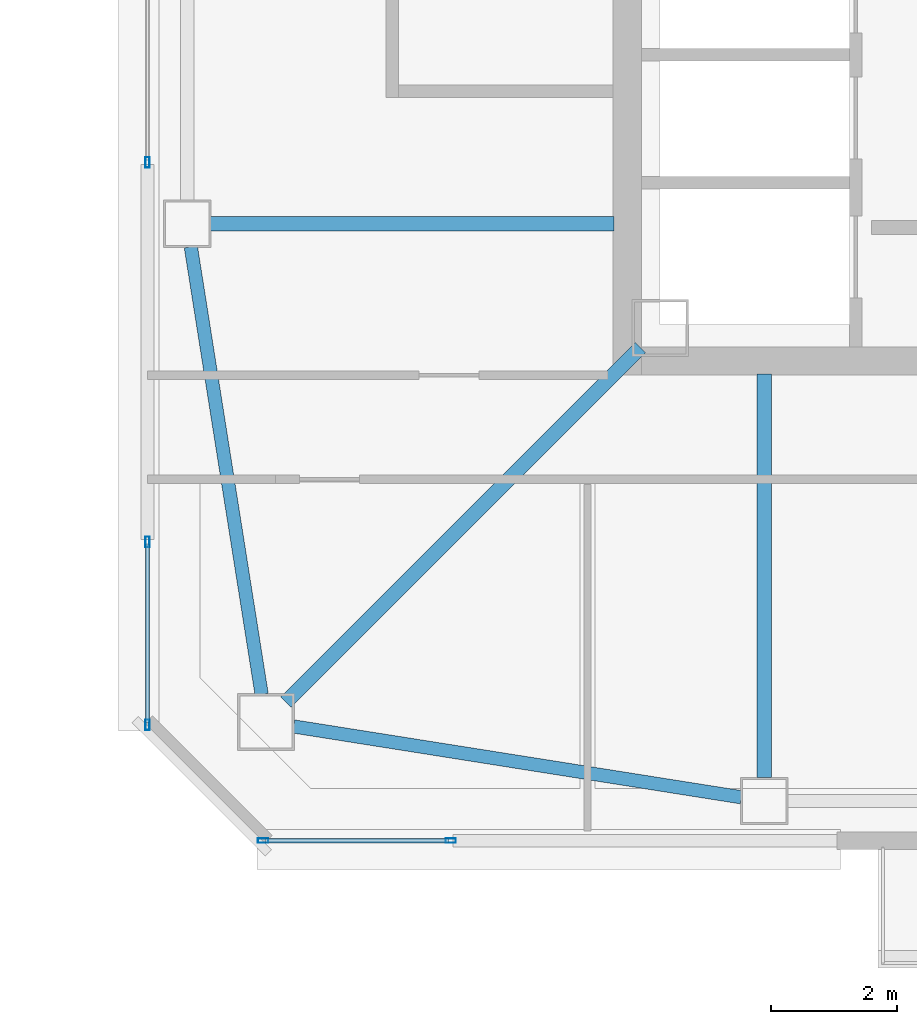
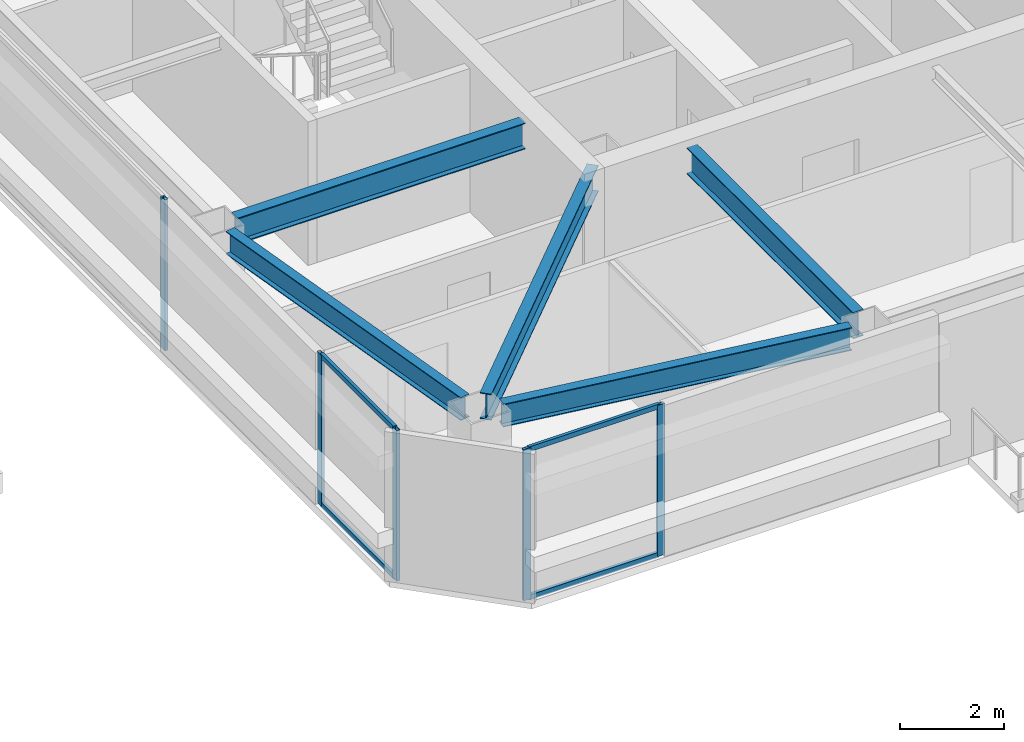
# One storey, part 2 of 31: 9 members, 5 beams, 3 elements without a shape of their own.
"""IFC4 building model written with IfcOpenShell, lengths in metres."""

from ifc_helpers import new_model, si_unit, direction, frame, origin, origin_2d, place, context, subcontext, project, spatial, hollow_rectangle, i_section, extrude, material, material_profile, profile_set, type_object, element, aggregate, save


model = new_model("IFC4")

# Units and contexts
model_context = context("Model", 3, precision=1e-05, world=origin(), true_north=direction((0.0, 1.0)))
body_context = subcontext(model_context, "Body", "Model", "MODEL_VIEW")
ifc_project = project(units=[si_unit("LENGTHUNIT", "METRE"), si_unit("AREAUNIT", "SQUARE_METRE"), si_unit("VOLUMEUNIT", "CUBIC_METRE"), si_unit("PLANEANGLEUNIT", "RADIAN"), si_unit("MASSUNIT", "GRAM", prefix="KILO")], contexts=[model_context])

# Site, building, storey
site_placement = place(None, origin())
site = spatial("IfcSite", under=ifc_project, at=site_placement, CompositionType="ELEMENT")
building_placement = place(site_placement, origin())
building = spatial("IfcBuilding", under=site, at=building_placement, Name="Tashvorn Skyway Center", CompositionType="ELEMENT")
storey_placement = place(building_placement, frame((0.0, 0.0, 266.949951171875)))
storey = spatial("IfcBuildingStorey", under=building, at=storey_placement, Name="L72", CompositionType="ELEMENT", Elevation=266.949951171875)

# Beams
ifc_material_1 = material(Name="Steel ASTM A992 Grade 50", Category="steel")
ifc_material_profile_1 = material_profile(ifc_material_1, i_section(OverallWidth=0.22998046875, OverallDepth=0.616943359375, WebThickness=0.01318359375, FlangeThickness=0.022216796875, at=origin_2d()), Name="W24X94")
ifc_profile_set_1 = profile_set([ifc_material_profile_1], Name="Steel ASTM A992 Grade 50")
beam_type_1 = type_object("IfcBeamType", Name="BM-BEAM-W24X94", PredefinedType="BEAM", material=ifc_profile_set_1)
beam_placement = place(storey_placement, frame((29.0146484375, 19.0146484375, 3.0615234375), z_axis=(0.707106781187, 0.707106781187, 0.0), x_axis=(-0.707106781187, 0.707106781187, 0.0)))
element("IfcBeam", 1, at=beam_placement, inside=storey, type_object=beam_type_1, Name="Tower 1 L72 Primary Floor Girder MC-SW", PredefinedType="BEAM", context=body_context, shape_type="SweptSolid", body=[
    extrude(i_section(OverallWidth=0.22998046875, OverallDepth=0.616943359375, WebThickness=0.01318359375, FlangeThickness=0.022216796875, at=origin_2d()), origin(), (0.0, 0.0, 1.0), 7.94873046875),
])
for number, where, z_axis, x_axis, name in (
    (2, (36.60009765625, 17.820068359375, 3.0615234375), (0.0, 1.0, 0.0), (-1.0, 0.0, 0.0), "Tower 1 L72 Primary Floor Girder FC-S1"),
    (3, (27.820068359375, 26.60009765625, 3.0615234375), (1.0, 0.0, 0.0), (0.0, 1.0, 0.0), "Tower 1 L72 Primary Floor Girder FC-W2"),
):
    element("IfcBeam", number, at=place(storey_placement, frame(where, z_axis=z_axis, x_axis=x_axis)), inside=storey, type_object=beam_type_1, Name=name, PredefinedType="BEAM", context=body_context, shape_type="SweptSolid", body=[
        extrude(i_section(OverallWidth=0.22998046875, OverallDepth=0.616943359375, WebThickness=0.01318359375, FlangeThickness=0.022216796875, at=origin_2d()), origin(), (0.0, 0.0, 1.0), 6.39990234375),
    ])
ifc_material_profile_2 = material_profile(ifc_material_1, i_section(OverallWidth=0.2109375, OverallDepth=0.5390625, WebThickness=0.01171875, FlangeThickness=0.018798828125, at=origin_2d()), Name="W21X73")
ifc_profile_set_2 = profile_set([ifc_material_profile_2], Name="Steel ASTM A992 Grade 50")
beam_type_2 = type_object("IfcBeamType", Name="BM-SPANDREL-W21X73", PredefinedType="SPANDREL", material=ifc_profile_set_2)
for number, where, z_axis, x_axis, name in (
    (4, (29.1396484375, 18.63037109375, 3.1005859375), (0.987713587978, -0.156274976, 0.0), (0.156274976, 0.987713587978, 0.0), "Tower 1 L72 Spandrel Beam 01"),
    (5, (27.5078125, 26.234619140625, 3.1005859375), (0.156274976, -0.987713587978, 0.0), (0.987713587978, 0.156274976, 0.0), "Tower 1 L72 Spandrel Beam 12"),
):
    element("IfcBeam", number, at=place(storey_placement, frame(where, z_axis=z_axis, x_axis=x_axis)), inside=storey, type_object=beam_type_2, Name=name, PredefinedType="SPANDREL", context=body_context, shape_type="SweptSolid", body=[
        extrude(i_section(OverallWidth=0.2109375, OverallDepth=0.5390625, WebThickness=0.01171875, FlangeThickness=0.018798828125, at=origin_2d()), origin(), (0.0, 0.0, 1.0), 7.18310546875),
    ])

# Curtain wall, members
ifc_material_2 = material(Name="Thermally broken bronze-anodized aluminium 6063-T6", Category="aluminium")
curtain_wall_type = type_object("IfcCurtainWallType", Name="CW-CW-Z5", PredefinedType="NOTDEFINED", material=ifc_material_2)
curtain_wall_1_placement = place(storey_placement, origin())
curtain_wall_1 = element("IfcCurtainWall", 6, at=curtain_wall_1_placement, inside=storey, type_object=curtain_wall_type, Name="Tower 1 L72 South Curtain Wall R Glazing Group 1", PredefinedType="NOTDEFINED")
ifc_material_profile_3 = material_profile(ifc_material_2, hollow_rectangle(XDim=0.070068359375, YDim=0.1650390625, WallThickness=0.00390625, at=origin_2d()), Name="ALU-MULL-70x165")
ifc_profile_set_3 = profile_set([ifc_material_profile_3], Name="Thermally broken bronze-anodized aluminium 6063-T6")
member_type_1 = type_object("IfcMemberType", Name="CWM-CW-Z5", PredefinedType="MULLION", material=ifc_profile_set_3)
member_1_placement = place(storey_placement, frame((31.62841796875, 16.820068359375, 0.0), z_axis=(0.0, 0.0, 1.0), x_axis=(0.0, -1.0, 0.0)))
member_1 = element("IfcMember", 7, at=member_1_placement, type_object=member_type_1, Name="CW-Z5 mullion 1", PredefinedType="MULLION", context=body_context, shape_type="SweptSolid", body=[
    extrude(hollow_rectangle(XDim=0.070068359375, YDim=0.1650390625, WallThickness=0.00390625, at=origin_2d()), origin(), (0.0, 0.0, 1.0), 3.550048828125),
])
member_2_placement = place(storey_placement, frame((28.655029296875, 16.820068359375, 0.0), z_axis=(0.0, 0.0, 1.0), x_axis=(0.0, -1.0, 0.0)))
member_2 = element("IfcMember", 8, at=member_2_placement, type_object=member_type_1, Name="CW-Z5 mullion 2", PredefinedType="MULLION", context=body_context, shape_type="SweptSolid", body=[
    extrude(hollow_rectangle(XDim=0.070068359375, YDim=0.1650390625, WallThickness=0.00390625, at=origin_2d()), origin(), (0.0, 0.0, 1.0), 3.550048828125),
])

curtain_wall_2_placement = place(storey_placement, origin())
curtain_wall_2 = element("IfcCurtainWall", 9, at=curtain_wall_2_placement, inside=storey, type_object=curtain_wall_type, Name="Tower 1 L72 West Unitised Curtain Wall Glazing Group 1", PredefinedType="NOTDEFINED")
member_3_placement = place(storey_placement, frame((26.820068359375, 18.655029296875, 0.0), z_axis=(0.0, 0.0, 1.0), x_axis=(-1.0, 0.0, 0.0)))
member_3 = element("IfcMember", 10, at=member_3_placement, type_object=member_type_1, Name="CW-Z5 mullion 1", PredefinedType="MULLION", context=body_context, shape_type="SweptSolid", body=[
    extrude(hollow_rectangle(XDim=0.070068359375, YDim=0.1650390625, WallThickness=0.00390625, at=origin_2d()), origin(), (0.0, 0.0, 1.0), 3.550048828125),
])
member_4_placement = place(storey_placement, frame((26.820068359375, 21.558349609375, 0.0), z_axis=(0.0, 0.0, 1.0), x_axis=(-1.0, 0.0, 0.0)))
member_4 = element("IfcMember", 11, at=member_4_placement, type_object=member_type_1, Name="CW-Z5 mullion 2", PredefinedType="MULLION", context=body_context, shape_type="SweptSolid", body=[
    extrude(hollow_rectangle(XDim=0.070068359375, YDim=0.1650390625, WallThickness=0.00390625, at=origin_2d()), origin(), (0.0, 0.0, 1.0), 3.550048828125),
])

# Curtain wall, member
curtain_wall_3_placement = place(storey_placement, origin())
curtain_wall_3 = element("IfcCurtainWall", 12, at=curtain_wall_3_placement, inside=storey, type_object=curtain_wall_type, Name="Tower 1 L72 West Unitised Curtain Wall Glazing Group 2", PredefinedType="NOTDEFINED")
member_5_placement = place(storey_placement, frame((26.820068359375, 27.574951171875, 0.0), z_axis=(0.0, 0.0, 1.0), x_axis=(-1.0, 0.0, 0.0)))
member_5 = element("IfcMember", 13, at=member_5_placement, type_object=member_type_1, Name="CW-Z5 mullion 1", PredefinedType="MULLION", context=body_context, shape_type="SweptSolid", body=[
    extrude(hollow_rectangle(XDim=0.070068359375, YDim=0.1650390625, WallThickness=0.00390625, at=origin_2d()), origin(), (0.0, 0.0, 1.0), 3.550048828125),
])
aggregate(curtain_wall_3, [member_5])

# Member
ifc_material_profile_4 = material_profile(ifc_material_2, hollow_rectangle(XDim=0.070068359375, YDim=0.114990234375, WallThickness=0.00390625, at=origin_2d()), Name="ALU-TRAN-70x115")
ifc_profile_set_4 = profile_set([ifc_material_profile_4], Name="Thermally broken bronze-anodized aluminium 6063-T6")
member_type_2 = type_object("IfcMemberType", Name="CWT-CW-Z5", PredefinedType="USERDEFINED", material=ifc_profile_set_4)
member_6_placement = place(storey_placement, frame((31.59326171875, 16.820068359375, 0.03515625), z_axis=(-1.0, 0.0, 0.0), x_axis=(0.0, -1.0, 0.0)))
member_6 = element("IfcMember", 14, at=member_6_placement, type_object=member_type_2, Name="CW-Z5 transom 1.1", ObjectType="TRANSOM", PredefinedType="USERDEFINED", context=body_context, shape_type="SweptSolid", body=[
    extrude(hollow_rectangle(XDim=0.070068359375, YDim=0.114990234375, WallThickness=0.00390625, at=origin_2d()), origin(), (0.0, 0.0, 1.0), 2.9033203125),
])

member_7_placement = place(storey_placement, frame((31.59326171875, 16.820068359375, 3.51513671875), z_axis=(-1.0, 0.0, 0.0), x_axis=(0.0, -1.0, 0.0)))
member_7 = element("IfcMember", 15, at=member_7_placement, type_object=member_type_2, Name="CW-Z5 transom 1.2", ObjectType="TRANSOM", PredefinedType="USERDEFINED", context=body_context, shape_type="SweptSolid", body=[
    extrude(hollow_rectangle(XDim=0.070068359375, YDim=0.114990234375, WallThickness=0.00390625, at=origin_2d()), origin(), (0.0, 0.0, 1.0), 2.9033203125),
])

aggregate(curtain_wall_1, [member_1, member_2, member_6, member_7])

member_8_placement = place(storey_placement, frame((26.820068359375, 18.68994140625, 0.03515625), z_axis=(0.0, 1.0, 0.0), x_axis=(-1.0, 0.0, 0.0)))
member_8 = element("IfcMember", 16, at=member_8_placement, type_object=member_type_2, Name="CW-Z5 transom 1.1", ObjectType="TRANSOM", PredefinedType="USERDEFINED", context=body_context, shape_type="SweptSolid", body=[
    extrude(hollow_rectangle(XDim=0.070068359375, YDim=0.114990234375, WallThickness=0.00390625, at=origin_2d()), origin(), (0.0, 0.0, 1.0), 2.833251953125),
])

member_9_placement = place(storey_placement, frame((26.820068359375, 18.68994140625, 3.51513671875), z_axis=(0.0, 1.0, 0.0), x_axis=(-1.0, 0.0, 0.0)))
member_9 = element("IfcMember", 17, at=member_9_placement, type_object=member_type_2, Name="CW-Z5 transom 1.2", ObjectType="TRANSOM", PredefinedType="USERDEFINED", context=body_context, shape_type="SweptSolid", body=[
    extrude(hollow_rectangle(XDim=0.070068359375, YDim=0.114990234375, WallThickness=0.00390625, at=origin_2d()), origin(), (0.0, 0.0, 1.0), 2.833251953125),
])

aggregate(curtain_wall_2, [member_3, member_4, member_8, member_9])

save(model, "model.ifc")
